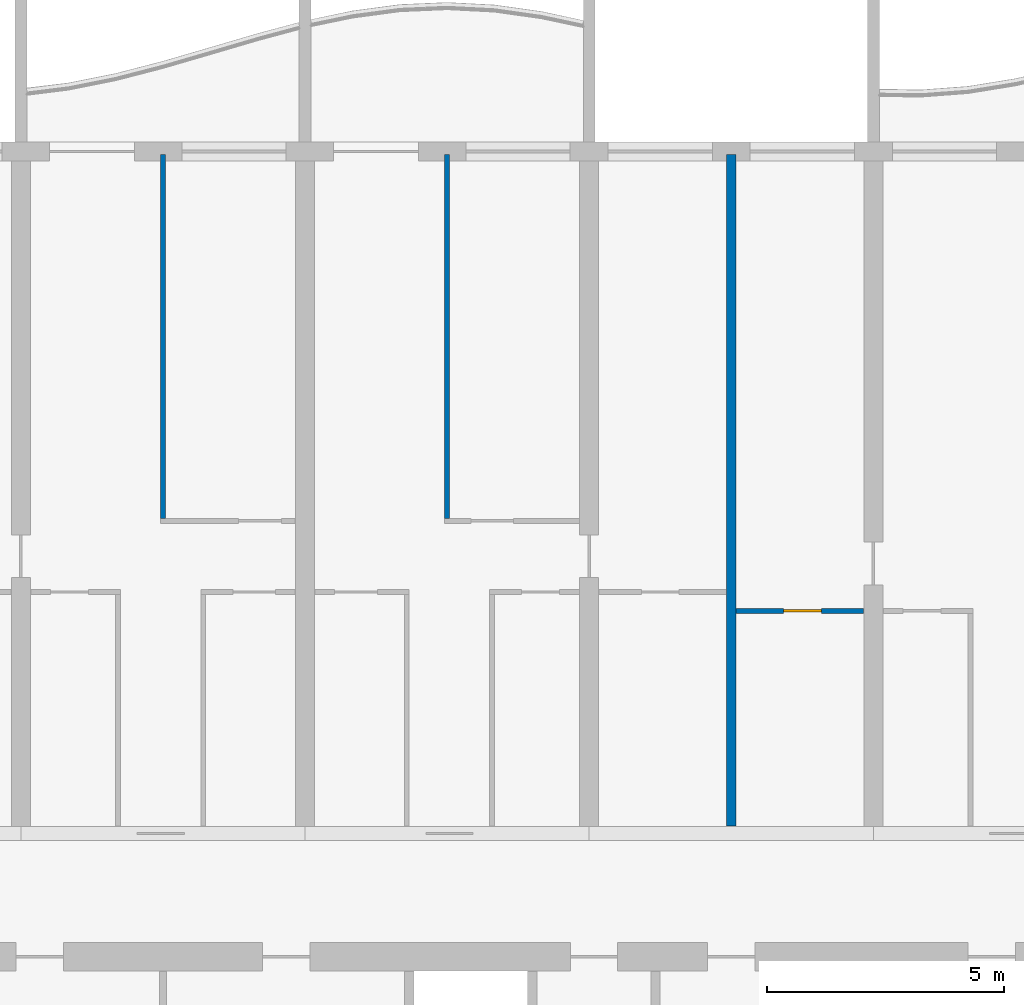
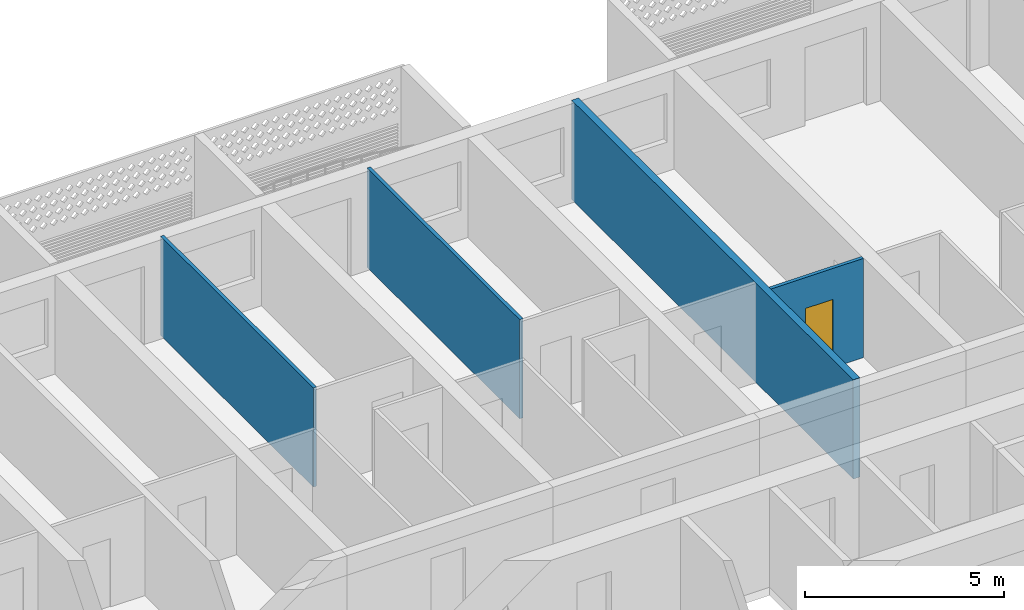
# One storey, part 11 of 39: 4 walls, 1 door, 1 opening.
"""IFC4 building model written with IfcOpenShell, lengths in metres."""

from ifc_helpers import new_model, si_unit, direction, frame, frame_2d, origin, place, context, subcontext, project, spatial, rectangle, extrude, material, layer, layer_set, type_object, element, fill, save


model = new_model("IFC4")

# Units and contexts
model_context = context("Model", 3, precision=1e-05, world=origin(), true_north=direction((0.0, 1.0)))
body_context = subcontext(model_context, "Body", "Model", "MODEL_VIEW")
ifc_project = project(units=[si_unit("LENGTHUNIT", "METRE"), si_unit("AREAUNIT", "SQUARE_METRE"), si_unit("VOLUMEUNIT", "CUBIC_METRE"), si_unit("PLANEANGLEUNIT", "RADIAN"), si_unit("MASSUNIT", "GRAM", prefix="KILO")], contexts=[model_context])

# Site, building, storey
site_placement = place(None, origin())
site = spatial("IfcSite", under=ifc_project, at=site_placement, CompositionType="ELEMENT")
building_placement = place(site_placement, origin())
building = spatial("IfcBuilding", under=site, at=building_placement, Name="Poui Terraces", CompositionType="ELEMENT")
storey_placement = place(building_placement, frame((0.0, 0.0, 56.39990234375)))
storey = spatial("IfcBuildingStorey", under=building, at=storey_placement, Name="L15", CompositionType="ELEMENT", Elevation=56.39990234375)

# Wall, opening, door
ifc_material_1 = material(Name="Plasterboard partition")
ifc_layer_1 = layer(ifc_material_1, 0.10009765625)
ifc_layer_set_1 = layer_set([ifc_layer_1], Name="Plasterboard partition")
wall_type_1 = type_object("IfcWallType", Name="FLAT PARTITION 100", PredefinedType="PARTITIONING", material=ifc_layer_set_1)
wall_1_placement = place(storey_placement, frame((51.10009765625, 35.10009765625, 0.0), z_axis=(0.0, 0.0, 1.0), x_axis=(1.0, 0.0, 0.0)))
wall_1 = element("IfcWall", 1, at=wall_1_placement, inside=storey, type_object=wall_type_1, Name="FLAT PARTITION 100", PredefinedType="PARTITIONING", context=body_context, shape_type="SweptSolid", body=[
    extrude(rectangle(XDim=2.68994140625, YDim=0.10009765625, at=frame_2d((1.344970703125, 0.0))), origin(), (0.0, 0.0, 1.0), 3.050048828125),
])
opening_placement = place(wall_1_placement, frame((1.0, 0.0, 0.0)))
opening = element("IfcOpeningElement", 2, at=opening_placement, cuts=wall_1, Name="Opening D80", PredefinedType="OPENING", context=body_context, shape_type="SweptSolid", body=[
    extrude(rectangle(XDim=0.800048828125, YDim=2.10009765625, at=frame_2d((0.39990234375, 1.050048828125))), frame((0.0, 0.06005859375, 0.0), z_axis=(0.0, -1.0, 0.0), x_axis=(1.0, 0.0, 0.0)), (0.0, 0.0, 1.0), 0.1201171875),
])
ifc_material_2 = material(Name="Solid core timber door", Category="wood")
door_type = type_object("IfcDoorType", Name="BATHROOM, LAUNDRY AND STORE DOOR 800 X 2100", OperationType="NOTDEFINED", PredefinedType="DOOR", material=ifc_material_2)
door_placement = place(opening_placement, frame((0.800048828125, 0.0, 0.0), z_axis=(0.0, 0.0, 1.0), x_axis=(-1.0, 0.0, 0.0)))
door = element("IfcDoor", 3, at=door_placement, inside=storey, type_object=door_type, Name="BATHROOM, LAUNDRY AND STORE DOOR 058", OperationType="SINGLE_SWING_RIGHT", OverallHeight=2.10009765625, OverallWidth=0.800048828125, PredefinedType="DOOR", context=body_context, shape_type="SweptSolid", body=[
    extrude(rectangle(XDim=0.800048828125, YDim=2.10009765625, at=frame_2d((0.39990234375, 1.050048828125))), frame((0.0, 0.02490234375, 0.0), z_axis=(0.0, -1.0, 0.0), x_axis=(1.0, 0.0, 0.0)), (0.0, 0.0, 1.0), 0.050048828125),
])
fill(opening, door)

# Walls
for number, where, z_axis, x_axis, name in (
    (4, (39.0, 37.050048828125, 0.0), (0.0, 0.0, 1.0), (0.0, 1.0, 0.0), "FLAT PARTITION 100"),
    (5, (45.0, 37.050048828125, 0.0), (0.0, 0.0, 1.0), (0.0, 1.0, 0.0), "FLAT PARTITION 100"),
):
    element("IfcWall", number, at=place(storey_placement, frame(where, z_axis=z_axis, x_axis=x_axis)), inside=storey, type_object=wall_type_1, Name=name, PredefinedType="PARTITIONING", context=body_context, shape_type="SweptSolid", body=[
        extrude(rectangle(XDim=7.68994140625, YDim=0.10009765625, at=frame_2d((3.844970703125, 0.0))), origin(), (0.0, 0.0, 1.0), 3.050048828125),
    ])
ifc_material_3 = material(Name="Fire-rated masonry wall", Category="masonry")
ifc_layer_2 = layer(ifc_material_3, 0.199951171875)
ifc_layer_set_2 = layer_set([ifc_layer_2], Name="Fire-rated masonry wall")
wall_type_2 = type_object("IfcWallType", Name="FLAT PARTY WALL 200", PredefinedType="PARTITIONING", material=ifc_layer_set_2)
wall_2_placement = place(storey_placement, frame((51.0, 30.56005859375, 0.0), z_axis=(0.0, 0.0, 1.0), x_axis=(0.0, 1.0, 0.0)))
element("IfcWall", 6, at=wall_2_placement, inside=storey, type_object=wall_type_2, Name="FLAT PARTY WALL 200", PredefinedType="PARTITIONING", context=body_context, shape_type="SweptSolid", body=[
    extrude(rectangle(XDim=14.179931640625, YDim=0.199951171875, at=frame_2d((7.08984375, 0.0))), origin(), (0.0, 0.0, 1.0), 3.050048828125),
])

save(model, "model.ifc")
